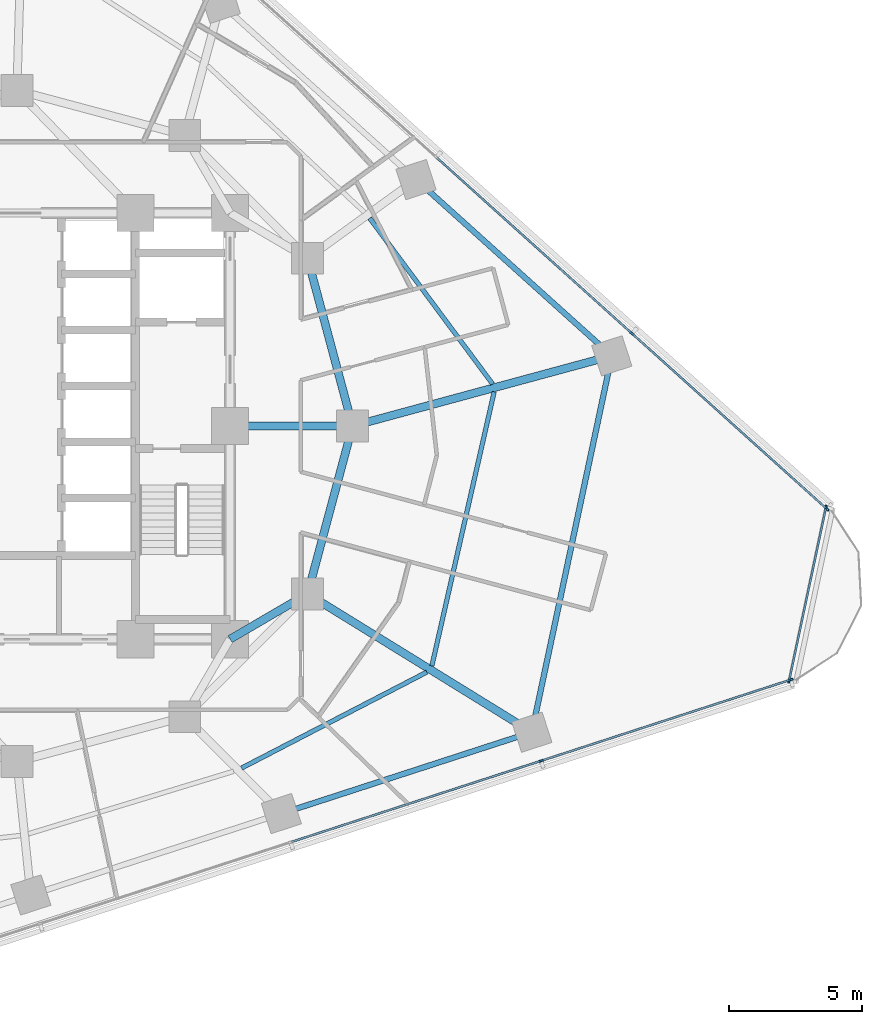
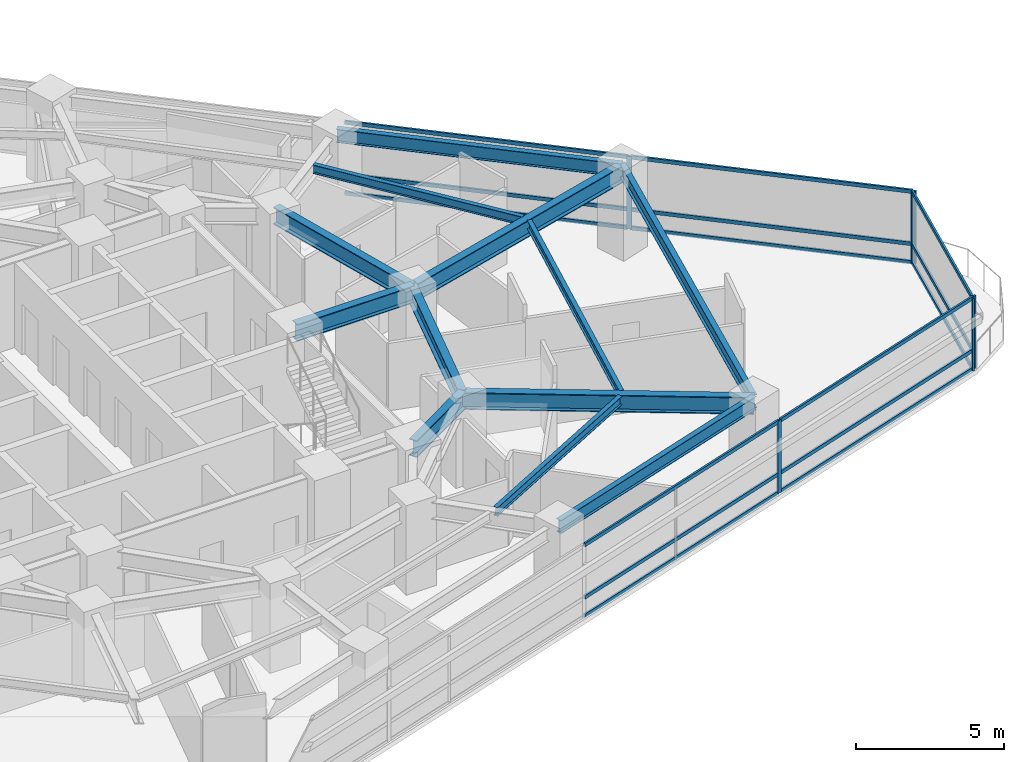
# One storey, part 4 of 13: 21 members, 12 beams, 3 elements without a shape of their own.
"""IFC4 building model written with IfcOpenShell, lengths in metres."""

from ifc_helpers import new_model, si_unit, direction, frame, origin, origin_2d, place, context, subcontext, project, spatial, rectangle, i_section, extrude, material, layer, layer_set, material_profile, profile_set, type_object, element, aggregate, save


model = new_model("IFC4")

# Units and contexts
model_context = context("Model", 3, precision=1e-05, world=origin(), true_north=direction((0.0, 1.0)))
body_context = subcontext(model_context, "Body", "Model", "MODEL_VIEW")
ifc_project = project(units=[si_unit("LENGTHUNIT", "METRE"), si_unit("AREAUNIT", "SQUARE_METRE"), si_unit("VOLUMEUNIT", "CUBIC_METRE"), si_unit("PLANEANGLEUNIT", "RADIAN"), si_unit("MASSUNIT", "GRAM", prefix="KILO")], contexts=[model_context])

# Site, building, storey
site_placement = place(None, origin())
site = spatial("IfcSite", under=ifc_project, at=site_placement, CompositionType="ELEMENT")
building_placement = place(site_placement, origin())
building = spatial("IfcBuilding", under=site, at=building_placement, Name="Terralouvre Media Tower", CompositionType="ELEMENT")
storey_placement = place(building_placement, frame((0.0, 0.0, 105.10009765625)))
storey = spatial("IfcBuildingStorey", under=building, at=storey_placement, Name="L26", CompositionType="ELEMENT", Elevation=105.10009765625)

# Beams
ifc_material_1 = material(Name="Structural steel S355J2", Category="steel")
ifc_material_profile_1 = material_profile(ifc_material_1, i_section(OverallWidth=0.169921875, OverallDepth=0.360107421875, WebThickness=0.008056640625, FlangeThickness=0.0126953125, at=origin_2d()), Name="IPE 360")
ifc_profile_set_1 = profile_set([ifc_material_profile_1], Name="Structural steel S355J2")
beam_type_1 = type_object("IfcBeamType", Name="Composite Floor Joist J-IPE360 (IPE 360)", PredefinedType="JOIST", material=ifc_profile_set_1)
beam_1_placement = place(storey_placement, frame((8.431640625, -12.83984375, 3.31982421875), z_axis=(0.88785826519, 0.460117051339, 0.0), x_axis=(-0.460117051339, 0.88785826519, 0.0)))
element("IfcBeam", 1, at=beam_1_placement, inside=storey, type_object=beam_type_1, Name="L26 Framing Beam JT-L26-05", PredefinedType="JOIST", context=body_context, shape_type="SweptSolid", body=[
    extrude(i_section(OverallWidth=0.169921875, OverallDepth=0.360107421875, WebThickness=0.008056640625, FlangeThickness=0.0126953125, at=origin_2d()), origin(), (0.0, 0.0, 1.0), 7.8349609375),
])
beam_2_placement = place(storey_placement, frame((15.576171875, -9.002685546875, 3.31982421875), z_axis=(0.221710109681, 0.975112622862, 0.0), x_axis=(-0.975112622862, 0.221710109681, 0.0)))
element("IfcBeam", 2, at=beam_2_placement, inside=storey, type_object=beam_type_1, Name="L26 Framing Beam JT-L26-06", PredefinedType="JOIST", context=body_context, shape_type="SweptSolid", body=[
    extrude(i_section(OverallWidth=0.169921875, OverallDepth=0.360107421875, WebThickness=0.008056640625, FlangeThickness=0.0126953125, at=origin_2d()), origin(), (0.0, 0.0, 1.0), 10.551513671875),
])
beam_3_placement = place(storey_placement, frame((17.85791015625, 1.57763671875, 3.31982421875), z_axis=(-0.595682426609, 0.803220048697, 0.0), x_axis=(-0.803220048697, -0.595682426609, 0.0)))
element("IfcBeam", 3, at=beam_3_placement, inside=storey, type_object=beam_type_1, Name="L26 Framing Beam JT-L26-07", PredefinedType="JOIST", context=body_context, shape_type="SweptSolid", body=[
    extrude(i_section(OverallWidth=0.169921875, OverallDepth=0.360107421875, WebThickness=0.008056640625, FlangeThickness=0.0126953125, at=origin_2d()), origin(), (0.0, 0.0, 1.0), 7.7509765625),
])

# Curtain wall, members
ifc_material_2 = material(Name="Low-iron laminated double glazing with solar-control coating", Category="glass")
ifc_layer_1 = layer(ifc_material_2, 0.1650390625, Name="Lower Media Tower Unitised Curtain Wall CW-02")
ifc_layer_set_1 = layer_set([ifc_layer_1], Name="Low-iron laminated double glazing with solar-control coating")
curtain_wall_type_1 = type_object("IfcCurtainWallType", Name="Lower Media Tower Unitised Curtain Wall CW-02", PredefinedType="NOTDEFINED", material=ifc_layer_set_1)
curtain_wall_1_placement = place(storey_placement, origin())
curtain_wall_1 = element("IfcCurtainWall", 4, at=curtain_wall_1_placement, inside=storey, type_object=curtain_wall_type_1, Name="L26 Facade Curtain Wall F0", PredefinedType="NOTDEFINED")
ifc_material_3 = material(Name="Anodised extruded aluminium 6063-T6", Category="aluminium")
ifc_material_profile_2 = material_profile(ifc_material_3, rectangle(XDim=0.074951171875, YDim=0.14990234375, at=origin_2d()), Name="ALU 75x150")
ifc_profile_set_2 = profile_set([ifc_material_profile_2], Name="Anodised extruded aluminium 6063-T6")
member_type_1 = type_object("IfcMemberType", Name="Curtain-Wall Horizontal Transom TR-150", PredefinedType="USERDEFINED", material=ifc_profile_set_2)
member_1_placement = place(storey_placement, frame((10.309814453125, -15.610107421875, 0.037353515625), z_axis=(0.951061672682, 0.309001124198, 0.0), x_axis=(-0.309001124198, 0.951061672682, 0.0)))
member_1 = element("IfcMember", 5, at=member_1_placement, type_object=member_type_1, Name="CW-02 transom 4.1", ObjectType="TRANSOM", PredefinedType="USERDEFINED", context=body_context, shape_type="SweptSolid", body=[
    extrude(rectangle(XDim=0.074951171875, YDim=0.14990234375, at=origin_2d()), origin(), (0.0, 0.0, 1.0), 9.81298828125),
])
member_2_placement = place(storey_placement, frame((10.309814453125, -15.610107421875, 0.7998046875), z_axis=(0.951061672682, 0.309001124198, 0.0), x_axis=(-0.309001124198, 0.951061672682, 0.0)))
member_2 = element("IfcMember", 6, at=member_2_placement, type_object=member_type_1, Name="CW-02 transom 4.2", ObjectType="TRANSOM", PredefinedType="USERDEFINED", context=body_context, shape_type="SweptSolid", body=[
    extrude(rectangle(XDim=0.074951171875, YDim=0.14990234375, at=origin_2d()), origin(), (0.0, 0.0, 1.0), 9.81298828125),
])
member_3_placement = place(storey_placement, frame((10.309814453125, -15.610107421875, 2.96240234375), z_axis=(0.951061672682, 0.309001124198, 0.0), x_axis=(-0.309001124198, 0.951061672682, 0.0)))
member_3 = element("IfcMember", 7, at=member_3_placement, type_object=member_type_1, Name="CW-02 transom 4.3", ObjectType="TRANSOM", PredefinedType="USERDEFINED", context=body_context, shape_type="SweptSolid", body=[
    extrude(rectangle(XDim=0.074951171875, YDim=0.14990234375, at=origin_2d()), origin(), (0.0, 0.0, 1.0), 9.81298828125),
])
member_4_placement = place(storey_placement, frame((19.7138671875, -12.5546875, 0.037353515625), z_axis=(0.951058475667, 0.309010963983, 0.0), x_axis=(-0.309010963983, 0.951058475667, 0.0)))
member_4 = element("IfcMember", 8, at=member_4_placement, type_object=member_type_1, Name="CW-02 transom 5.1", ObjectType="TRANSOM", PredefinedType="USERDEFINED", context=body_context, shape_type="SweptSolid", body=[
    extrude(rectangle(XDim=0.074951171875, YDim=0.14990234375, at=origin_2d()), origin(), (0.0, 0.0, 1.0), 9.775634765625),
])
member_5_placement = place(storey_placement, frame((19.7138671875, -12.5546875, 0.7998046875), z_axis=(0.951058475667, 0.309010963983, 0.0), x_axis=(-0.309010963983, 0.951058475667, 0.0)))
member_5 = element("IfcMember", 9, at=member_5_placement, type_object=member_type_1, Name="CW-02 transom 5.2", ObjectType="TRANSOM", PredefinedType="USERDEFINED", context=body_context, shape_type="SweptSolid", body=[
    extrude(rectangle(XDim=0.074951171875, YDim=0.14990234375, at=origin_2d()), origin(), (0.0, 0.0, 1.0), 9.775634765625),
])
member_6_placement = place(storey_placement, frame((19.7138671875, -12.5546875, 2.96240234375), z_axis=(0.951058475667, 0.309010963983, 0.0), x_axis=(-0.309010963983, 0.951058475667, 0.0)))
member_6 = element("IfcMember", 10, at=member_6_placement, type_object=member_type_1, Name="CW-02 transom 5.3", ObjectType="TRANSOM", PredefinedType="USERDEFINED", context=body_context, shape_type="SweptSolid", body=[
    extrude(rectangle(XDim=0.074951171875, YDim=0.14990234375, at=origin_2d()), origin(), (0.0, 0.0, 1.0), 9.775634765625),
])

curtain_wall_2_placement = place(storey_placement, origin())
curtain_wall_2 = element("IfcCurtainWall", 11, at=curtain_wall_2_placement, inside=storey, type_object=curtain_wall_type_1, Name="L26 Facade Curtain Wall F1", PredefinedType="NOTDEFINED")
member_7_placement = place(storey_placement, frame((30.380615234375, -3.09033203125, 0.037353515625), z_axis=(-0.743137656594, 0.669138568125, 0.0), x_axis=(-0.669138568125, -0.743137656594, 0.0)))
member_7 = element("IfcMember", 12, at=member_7_placement, type_object=member_type_1, Name="CW-02 transom 1.1", ObjectType="TRANSOM", PredefinedType="USERDEFINED", context=body_context, shape_type="SweptSolid", body=[
    extrude(rectangle(XDim=0.074951171875, YDim=0.14990234375, at=origin_2d()), origin(), (0.0, 0.0, 1.0), 9.775634765625),
])
member_8_placement = place(storey_placement, frame((30.380615234375, -3.09033203125, 0.7998046875), z_axis=(-0.743137656594, 0.669138568125, 0.0), x_axis=(-0.669138568125, -0.743137656594, 0.0)))
member_8 = element("IfcMember", 13, at=member_8_placement, type_object=member_type_1, Name="CW-02 transom 1.2", ObjectType="TRANSOM", PredefinedType="USERDEFINED", context=body_context, shape_type="SweptSolid", body=[
    extrude(rectangle(XDim=0.074951171875, YDim=0.14990234375, at=origin_2d()), origin(), (0.0, 0.0, 1.0), 9.775634765625),
])
member_9_placement = place(storey_placement, frame((30.380615234375, -3.09033203125, 2.96240234375), z_axis=(-0.743137656594, 0.669138568125, 0.0), x_axis=(-0.669138568125, -0.743137656594, 0.0)))
member_9 = element("IfcMember", 14, at=member_9_placement, type_object=member_type_1, Name="CW-02 transom 1.3", ObjectType="TRANSOM", PredefinedType="USERDEFINED", context=body_context, shape_type="SweptSolid", body=[
    extrude(rectangle(XDim=0.074951171875, YDim=0.14990234375, at=origin_2d()), origin(), (0.0, 0.0, 1.0), 9.775634765625),
])
member_10_placement = place(storey_placement, frame((23.060302734375, 3.5009765625, 0.037353515625), z_axis=(-0.743145676677, 0.669129661005, 0.0), x_axis=(-0.669129661005, -0.743145676677, 0.0)))
member_10 = element("IfcMember", 15, at=member_10_placement, type_object=member_type_1, Name="CW-02 transom 2.1", ObjectType="TRANSOM", PredefinedType="USERDEFINED", context=body_context, shape_type="SweptSolid", body=[
    extrude(rectangle(XDim=0.074951171875, YDim=0.14990234375, at=origin_2d()), origin(), (0.0, 0.0, 1.0), 9.81298828125),
])
member_11_placement = place(storey_placement, frame((23.060302734375, 3.5009765625, 0.7998046875), z_axis=(-0.743145676677, 0.669129661005, 0.0), x_axis=(-0.669129661005, -0.743145676677, 0.0)))
member_11 = element("IfcMember", 16, at=member_11_placement, type_object=member_type_1, Name="CW-02 transom 2.2", ObjectType="TRANSOM", PredefinedType="USERDEFINED", context=body_context, shape_type="SweptSolid", body=[
    extrude(rectangle(XDim=0.074951171875, YDim=0.14990234375, at=origin_2d()), origin(), (0.0, 0.0, 1.0), 9.81298828125),
])
member_12_placement = place(storey_placement, frame((23.060302734375, 3.5009765625, 2.96240234375), z_axis=(-0.743145676677, 0.669129661005, 0.0), x_axis=(-0.669129661005, -0.743145676677, 0.0)))
member_12 = element("IfcMember", 17, at=member_12_placement, type_object=member_type_1, Name="CW-02 transom 2.3", ObjectType="TRANSOM", PredefinedType="USERDEFINED", context=body_context, shape_type="SweptSolid", body=[
    extrude(rectangle(XDim=0.074951171875, YDim=0.14990234375, at=origin_2d()), origin(), (0.0, 0.0, 1.0), 9.81298828125),
])

ifc_material_4 = material(Name="Low-iron laminated double glazing with solar-control coating", Category="glass")
ifc_layer_2 = layer(ifc_material_4, 0.1650390625, Name="Rounded Wind-Corner Curved Glazing CW-04")
ifc_layer_set_2 = layer_set([ifc_layer_2], Name="Low-iron laminated double glazing with solar-control coating")
curtain_wall_type_2 = type_object("IfcCurtainWallType", Name="Rounded Wind-Corner Curved Glazing CW-04", PredefinedType="NOTDEFINED", material=ifc_layer_set_2)
curtain_wall_3_placement = place(storey_placement, origin())
curtain_wall_3 = element("IfcCurtainWall", 18, at=curtain_wall_3_placement, inside=storey, type_object=curtain_wall_type_2, Name="L26 Rounded Wind-Corner Curtain Wall C1", PredefinedType="NOTDEFINED")
member_13_placement = place(storey_placement, frame((28.998046875, -9.522216796875, 0.037353515625), z_axis=(0.207899641228, 0.978150161876, 0.0), x_axis=(-0.978150161876, 0.207899641228, 0.0)))
member_13 = element("IfcMember", 19, at=member_13_placement, type_object=member_type_1, Name="CW-04 transom 1.1", ObjectType="TRANSOM", PredefinedType="USERDEFINED", context=body_context, shape_type="SweptSolid", body=[
    extrude(rectangle(XDim=0.074951171875, YDim=0.14990234375, at=origin_2d()), origin(), (0.0, 0.0, 1.0), 6.5703125),
])
member_14_placement = place(storey_placement, frame((28.998046875, -9.522216796875, 0.7998046875), z_axis=(0.207899641228, 0.978150161876, 0.0), x_axis=(-0.978150161876, 0.207899641228, 0.0)))
member_14 = element("IfcMember", 20, at=member_14_placement, type_object=member_type_1, Name="CW-04 transom 1.2", ObjectType="TRANSOM", PredefinedType="USERDEFINED", context=body_context, shape_type="SweptSolid", body=[
    extrude(rectangle(XDim=0.074951171875, YDim=0.14990234375, at=origin_2d()), origin(), (0.0, 0.0, 1.0), 6.5703125),
])
member_15_placement = place(storey_placement, frame((28.998046875, -9.522216796875, 2.96240234375), z_axis=(0.207899641228, 0.978150161876, 0.0), x_axis=(-0.978150161876, 0.207899641228, 0.0)))
member_15 = element("IfcMember", 21, at=member_15_placement, type_object=member_type_1, Name="CW-04 transom 1.3", ObjectType="TRANSOM", PredefinedType="USERDEFINED", context=body_context, shape_type="SweptSolid", body=[
    extrude(rectangle(XDim=0.074951171875, YDim=0.14990234375, at=origin_2d()), origin(), (0.0, 0.0, 1.0), 6.5703125),
])

# Member
ifc_material_5 = material(Name="Anodised extruded aluminium 6063-T6", Category="aluminium")
ifc_material_profile_3 = material_profile(ifc_material_5, rectangle(XDim=0.074951171875, YDim=0.179931640625, at=origin_2d()), Name="ALU 75x180")
ifc_profile_set_3 = profile_set([ifc_material_profile_3], Name="Anodised extruded aluminium 6063-T6")
member_type_2 = type_object("IfcMemberType", Name="Curtain-Wall Vertical Mullion ML-180", PredefinedType="MULLION", material=ifc_profile_set_3)
member_16_placement = place(storey_placement, frame((19.67822265625, -12.566162109375, 0.0), z_axis=(0.0, 0.0, 1.0), x_axis=(-0.309017015439, 0.951056509451, 0.0)))
member_16 = element("IfcMember", 22, at=member_16_placement, type_object=member_type_2, Name="CW-02 mullion 5", PredefinedType="MULLION", context=body_context, shape_type="SweptSolid", body=[
    extrude(rectangle(XDim=0.074951171875, YDim=0.179931640625, at=origin_2d()), origin(), (0.0, 0.0, 1.0), 3.0),
])

member_17_placement = place(storey_placement, frame((29.046630859375, -9.522216796875, 0.0), z_axis=(0.0, 0.0, 1.0), x_axis=(-0.309017015439, 0.951056509451, 0.0)))
member_17 = element("IfcMember", 23, at=member_17_placement, type_object=member_type_2, Name="CW-02 mullion 6", PredefinedType="MULLION", context=body_context, shape_type="SweptSolid", body=[
    extrude(rectangle(XDim=0.074951171875, YDim=0.179931640625, at=origin_2d()), origin(), (0.0, 0.0, 1.0), 3.0),
])

aggregate(curtain_wall_1, [member_16, member_17, member_1, member_2, member_3, member_4, member_5, member_6])

member_18_placement = place(storey_placement, frame((30.408447265625, -3.115478515625, 0.0), z_axis=(0.0, 0.0, 1.0), x_axis=(-0.669130639602, -0.743144795545, 0.0)))
member_18 = element("IfcMember", 24, at=member_18_placement, type_object=member_type_2, Name="CW-02 mullion 1", PredefinedType="MULLION", context=body_context, shape_type="SweptSolid", body=[
    extrude(rectangle(XDim=0.074951171875, YDim=0.179931640625, at=origin_2d()), origin(), (0.0, 0.0, 1.0), 3.0),
])

member_19_placement = place(storey_placement, frame((23.088134765625, 3.475830078125, 0.0), z_axis=(0.0, 0.0, 1.0), x_axis=(-0.669130639602, -0.743144795545, 0.0)))
member_19 = element("IfcMember", 25, at=member_19_placement, type_object=member_type_2, Name="CW-02 mullion 2", PredefinedType="MULLION", context=body_context, shape_type="SweptSolid", body=[
    extrude(rectangle(XDim=0.074951171875, YDim=0.179931640625, at=origin_2d()), origin(), (0.0, 0.0, 1.0), 3.0),
])

aggregate(curtain_wall_2, [member_18, member_19, member_7, member_8, member_9, member_10, member_11, member_12])

member_20_placement = place(storey_placement, frame((28.990234375, -9.55908203125, 0.0), z_axis=(0.0, 0.0, 1.0), x_axis=(-0.978147617626, 0.207911611348, 0.0)))
member_20 = element("IfcMember", 26, at=member_20_placement, type_object=member_type_2, Name="CW-04 mullion 1", PredefinedType="MULLION", context=body_context, shape_type="SweptSolid", body=[
    extrude(rectangle(XDim=0.074951171875, YDim=0.179931640625, at=origin_2d()), origin(), (0.0, 0.0, 1.0), 3.0),
])

member_21_placement = place(storey_placement, frame((30.371826171875, -3.058837890625, 0.0), z_axis=(0.0, 0.0, 1.0), x_axis=(-0.978147617626, 0.207911611348, 0.0)))
member_21 = element("IfcMember", 27, at=member_21_placement, type_object=member_type_2, Name="CW-04 mullion 2", PredefinedType="MULLION", context=body_context, shape_type="SweptSolid", body=[
    extrude(rectangle(XDim=0.074951171875, YDim=0.179931640625, at=origin_2d()), origin(), (0.0, 0.0, 1.0), 3.0),
])

aggregate(curtain_wall_3, [member_20, member_21, member_13, member_14, member_15])

# Beams
ifc_material_6 = material(Name="Structural steel S355J2", Category="steel")
ifc_material_profile_4 = material_profile(ifc_material_6, i_section(OverallWidth=0.2099609375, OverallDepth=0.550048828125, WebThickness=0.010986328125, FlangeThickness=0.01708984375, at=origin_2d()), Name="IPE 550")
ifc_profile_set_4 = profile_set([ifc_material_profile_4], Name="Structural steel S355J2")
beam_type_2 = type_object("IfcBeamType", Name="Perimeter Spandrel Beam SPB-550 (IPE 550)", PredefinedType="SPANDREL", material=ifc_profile_set_4)
beam_4_placement = place(storey_placement, frame((9.925048828125, -14.547119140625, 3.224853515625), z_axis=(0.95105348149, 0.309026334389, 0.0), x_axis=(-0.309026334389, 0.95105348149, 0.0)))
element("IfcBeam", 28, at=beam_4_placement, inside=storey, type_object=beam_type_2, Name="L26 Framing Beam BM-L26-PR05", PredefinedType="SPANDREL", context=body_context, shape_type="SweptSolid", body=[
    extrude(i_section(OverallWidth=0.2099609375, OverallDepth=0.550048828125, WebThickness=0.010986328125, FlangeThickness=0.01708984375, at=origin_2d()), origin(), (0.0, 0.0, 1.0), 9.887939453125),
])
beam_5_placement = place(storey_placement, frame((19.3291015625, -11.491455078125, 3.224853515625), z_axis=(0.207911520129, 0.978147637015, 0.0), x_axis=(-0.978147637015, 0.207911520129, 0.0)))
element("IfcBeam", 29, at=beam_5_placement, inside=storey, type_object=beam_type_2, Name="L26 Framing Beam BM-L26-PR06", PredefinedType="SPANDREL", context=body_context, shape_type="SweptSolid", body=[
    extrude(i_section(OverallWidth=0.2099609375, OverallDepth=0.550048828125, WebThickness=0.010986328125, FlangeThickness=0.01708984375, at=origin_2d()), origin(), (0.0, 0.0, 1.0), 14.443359375),
])
beam_6_placement = place(storey_placement, frame((22.33203125, 2.63623046875, 3.224853515625), z_axis=(-0.743149256852, 0.669125684786, 0.0), x_axis=(-0.669125684786, -0.743149256852, 0.0)))
element("IfcBeam", 30, at=beam_6_placement, inside=storey, type_object=beam_type_2, Name="L26 Framing Beam BM-L26-PR07", PredefinedType="SPANDREL", context=body_context, shape_type="SweptSolid", body=[
    extrude(i_section(OverallWidth=0.2099609375, OverallDepth=0.550048828125, WebThickness=0.010986328125, FlangeThickness=0.01708984375, at=origin_2d()), origin(), (0.0, 0.0, 1.0), 9.887939453125),
])
ifc_material_7 = material(Name="Structural steel S460M", Category="steel")
ifc_material_profile_5 = material_profile(ifc_material_7, i_section(OverallWidth=0.300048828125, OverallDepth=0.699951171875, WebThickness=0.01708984375, FlangeThickness=0.031982421875, at=origin_2d()), Name="HEB 700")
ifc_profile_set_5 = profile_set([ifc_material_profile_5], Name="Structural steel S460M")
beam_type_3 = type_object("IfcBeamType", Name="Primary Floor Girder B-HEB700 (HEB 700)", PredefinedType="BEAM", material=ifc_profile_set_5)
for number, where, z_axis, x_axis, name in (
    (31, (10.911865234375, -6.300048828125, 3.14990234375), (0.258838989821, 0.965920481897, 0.0), (-0.965920481897, 0.258838989821, 0.0), "L26 Framing Beam BM-L26-MR05"),
    (32, (12.60009765625, 0.0, 3.14990234375), (-0.258838989821, 0.965920481897, 0.0), (-0.965920481897, -0.258838989821, 0.0), "L26 Framing Beam BM-L26-MR06"),
):
    element("IfcBeam", number, at=place(storey_placement, frame(where, z_axis=z_axis, x_axis=x_axis)), inside=storey, type_object=beam_type_3, Name=name, PredefinedType="BEAM", context=body_context, shape_type="SweptSolid", body=[
        extrude(i_section(OverallWidth=0.300048828125, OverallDepth=0.699951171875, WebThickness=0.01708984375, FlangeThickness=0.031982421875, at=origin_2d()), origin(), (0.0, 0.0, 1.0), 6.522216796875),
    ])
beam_7_placement = place(storey_placement, frame((8.0, -8.0, 3.14990234375), z_axis=(0.863602894532, 0.504172629717, 0.0), x_axis=(-0.504172629717, 0.863602894532, 0.0)))
element("IfcBeam", 33, at=beam_7_placement, inside=storey, type_object=beam_type_3, Name="L26 Framing Beam BM-L26-CM05", PredefinedType="BEAM", context=body_context, shape_type="SweptSolid", body=[
    extrude(i_section(OverallWidth=0.300048828125, OverallDepth=0.699951171875, WebThickness=0.01708984375, FlangeThickness=0.031982421875, at=origin_2d()), origin(), (0.0, 0.0, 1.0), 3.371826171875),
])
beam_8_placement = place(storey_placement, frame((8.0, 0.0, 3.14990234375), z_axis=(1.0, 0.0, 0.0), x_axis=(0.0, 1.0, 0.0)))
element("IfcBeam", 34, at=beam_8_placement, inside=storey, type_object=beam_type_3, Name="L26 Framing Beam BM-L26-CM06", PredefinedType="BEAM", context=body_context, shape_type="SweptSolid", body=[
    extrude(i_section(OverallWidth=0.300048828125, OverallDepth=0.699951171875, WebThickness=0.01708984375, FlangeThickness=0.031982421875, at=origin_2d()), origin(), (0.0, 0.0, 1.0), 4.60009765625),
])
beam_9_placement = place(storey_placement, frame((10.911865234375, -6.300048828125, 3.14990234375), z_axis=(0.851135757445, -0.524945637565, 0.0), x_axis=(0.524945637565, 0.851135757445, 0.0)))
element("IfcBeam", 35, at=beam_9_placement, inside=storey, type_object=beam_type_3, Name="L26 Framing Beam BM-L26-RD06", PredefinedType="BEAM", context=body_context, shape_type="SweptSolid", body=[
    extrude(i_section(OverallWidth=0.300048828125, OverallDepth=0.699951171875, WebThickness=0.01708984375, FlangeThickness=0.031982421875, at=origin_2d()), origin(), (0.0, 0.0, 1.0), 9.889404296875),
])
beam_10_placement = place(storey_placement, frame((12.60009765625, 0.0, 3.14990234375), z_axis=(0.965213896705, 0.261461533707, 0.0), x_axis=(-0.261461533707, 0.965213896705, 0.0)))
element("IfcBeam", 36, at=beam_10_placement, inside=storey, type_object=beam_type_3, Name="L26 Framing Beam BM-L26-RD07", PredefinedType="BEAM", context=body_context, shape_type="SweptSolid", body=[
    extrude(i_section(OverallWidth=0.300048828125, OverallDepth=0.699951171875, WebThickness=0.01708984375, FlangeThickness=0.031982421875, at=origin_2d()), origin(), (0.0, 0.0, 1.0), 10.082763671875),
])

save(model, "model.ifc")
